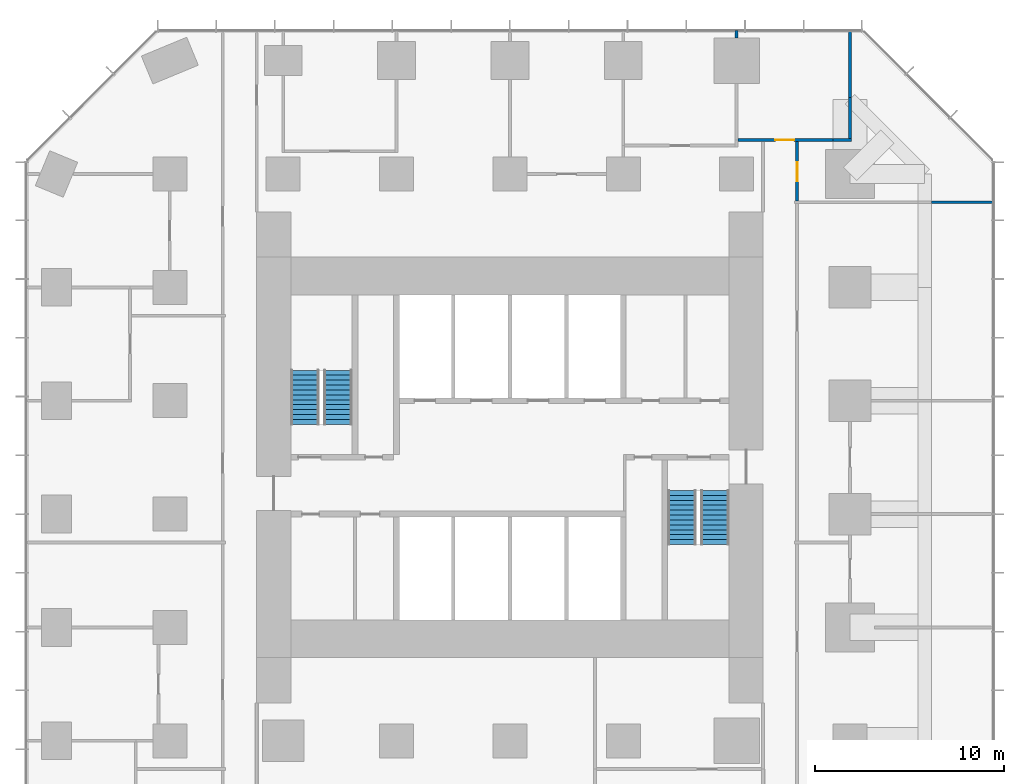
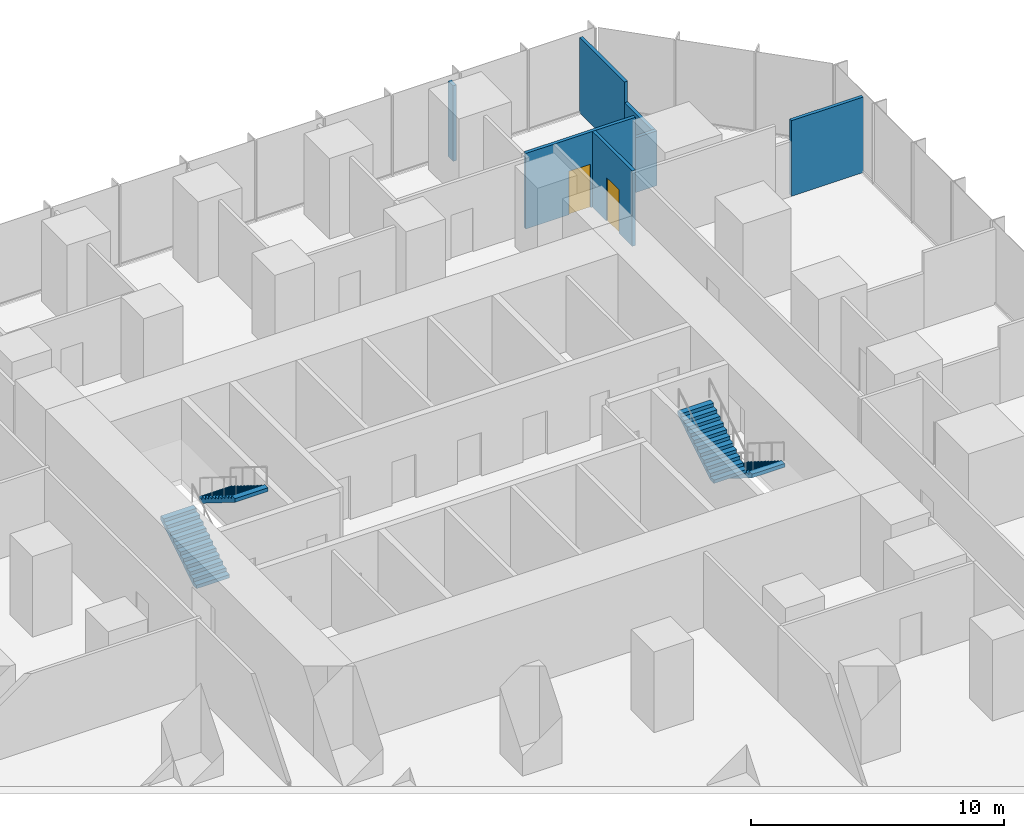
# One storey, part 11 of 12: 7 walls, 4 stair flights, 2 doors, 2 openings, 2 elements without a shape of their own.
"""IFC4 building model written with IfcOpenShell, lengths in metres."""

from ifc_helpers import new_model, si_unit, direction, frame, frame_2d, origin, place, context, subcontext, project, spatial, polyline, rectangle, outline, extrude, material, layer, layer_set, type_object, element, fill, aggregate, save


model = new_model("IFC4")

# Units and contexts
model_context = context("Model", 3, precision=1e-05, world=origin(), true_north=direction((0.0, 1.0)))
body_context = subcontext(model_context, "Body", "Model", "MODEL_VIEW")
ifc_project = project(units=[si_unit("LENGTHUNIT", "METRE"), si_unit("AREAUNIT", "SQUARE_METRE"), si_unit("VOLUMEUNIT", "CUBIC_METRE"), si_unit("PLANEANGLEUNIT", "RADIAN"), si_unit("MASSUNIT", "GRAM", prefix="KILO")], contexts=[model_context])

# Site, building, storey
site_placement = place(None, origin())
site = spatial("IfcSite", under=ifc_project, at=site_placement, CompositionType="ELEMENT")
building_placement = place(site_placement, origin())
building = spatial("IfcBuilding", under=site, at=building_placement, Name="Highveld Stack Headquarters", CompositionType="ELEMENT")
storey_placement = place(building_placement, frame((0.0, 0.0, 53.300048828125)))
storey = spatial("IfcBuildingStorey", under=building, at=storey_placement, Name="L12", CompositionType="ELEMENT", Elevation=53.300048828125)

# Wall, opening, door
ifc_material_1 = material(Name="Gypsum plasterboard on steel studs", Category="steel")
ifc_layer = layer(ifc_material_1, 0.14990234375)
ifc_layer_set = layer_set([ifc_layer], Name="Gypsum plasterboard on steel studs")
wall_type = type_object("IfcWallType", Name="PARTITION 150 PLASTERBOARD", PredefinedType="PARTITIONING", material=ifc_layer_set)
wall_1_placement = place(storey_placement, frame((18.074951171875, 19.800048828125, 0.0), z_axis=(0.0, 0.0, 1.0), x_axis=(1.0, 0.0, 0.0)))
wall_1 = element("IfcWall", 1, at=wall_1_placement, inside=storey, type_object=wall_type, Name="Partition Print room L12", PredefinedType="PARTITIONING", context=body_context, shape_type="SweptSolid", body=[
    extrude(rectangle(XDim=5.01513671875, YDim=0.14990234375, at=frame_2d((2.507568359375, 0.0))), origin(), (0.0, 0.0, 1.0), 3.64990234375),
])
opening_1_placement = place(wall_1_placement, frame((1.969970703125, 0.0, 0.0)))
opening_1 = element("IfcOpeningElement", 2, at=opening_1_placement, cuts=wall_1, Name="Opening L12-23", PredefinedType="OPENING", context=body_context, shape_type="SweptSolid", body=[
    extrude(rectangle(XDim=1.0, YDim=2.10009765625, at=frame_2d((0.5, 1.050048828125))), frame((0.0, 0.0849609375, 0.0), z_axis=(0.0, -1.0, 0.0), x_axis=(1.0, 0.0, 0.0)), (0.0, 0.0, 1.0), 0.169921875),
])
ifc_material_2 = material(Name="Timber door, oiled ash", Category="wood")
door_type = type_object("IfcDoorType", Name="ROOM DOOR D6 1000x2100", OperationType="SINGLE_SWING_LEFT", PredefinedType="DOOR", material=ifc_material_2)
door_1_placement = place(opening_1_placement, origin())
door_1 = element("IfcDoor", 3, at=door_1_placement, inside=storey, type_object=door_type, Name="Print room door 1 L12", OperationType="SINGLE_SWING_LEFT", OverallHeight=2.10009765625, OverallWidth=1.0, PredefinedType="DOOR", context=body_context, shape_type="SweptSolid", body=[
    extrude(rectangle(XDim=1.0, YDim=2.10009765625, at=frame_2d((0.5, 1.050048828125))), frame((0.0, 0.02490234375, 0.0), z_axis=(0.0, -1.0, 0.0), x_axis=(1.0, 0.0, 0.0)), (0.0, 0.0, 1.0), 0.050048828125),
])
fill(opening_1, door_1)

# Walls
wall_2_placement = place(storey_placement, frame((23.090087890625, 19.800048828125, 0.0), z_axis=(0.0, 0.0, 1.0), x_axis=(1.0, 0.0, 0.0)))
element("IfcWall", 4, at=wall_2_placement, inside=storey, type_object=wall_type, Name="Partition Print room L12", PredefinedType="PARTITIONING", context=body_context, shape_type="SweptSolid", body=[
    extrude(rectangle(XDim=0.98486328125, YDim=0.14990234375, at=frame_2d((0.492431640625, 0.0))), origin(), (0.0, 0.0, 1.0), 2.64990234375),
])
wall_3_placement = place(storey_placement, frame((18.0, 25.199951171875, 0.0), z_axis=(0.0, 0.0, 1.0), x_axis=(0.0, 1.0, 0.0)))
element("IfcWall", 5, at=wall_3_placement, inside=storey, type_object=wall_type, Name="Partition Print room / Quiet room L12", PredefinedType="PARTITIONING", context=body_context, shape_type="SweptSolid", body=[
    extrude(rectangle(XDim=0.400146484375, YDim=0.14990234375, at=frame_2d((0.2001953125, 0.0))), origin(), (0.0, 0.0, 1.0), 3.64990234375),
])
wall_4_placement = place(storey_placement, frame((24.0, 19.875, 0.0), z_axis=(0.0, 0.0, 1.0), x_axis=(0.0, 1.0, 0.0)))
element("IfcWall", 6, at=wall_4_placement, inside=storey, type_object=wall_type, Name="Partition Print room L12", PredefinedType="PARTITIONING", context=body_context, shape_type="SweptSolid", body=[
    extrude(rectangle(XDim=2.169921875, YDim=0.14990234375, at=frame_2d((1.0849609375, 0.0))), origin(), (0.0, 0.0, 1.0), 2.64990234375),
])
wall_5_placement = place(storey_placement, frame((24.0, 22.044921875, 0.0), z_axis=(0.0, 0.0, 1.0), x_axis=(0.0, 1.0, 0.0)))
element("IfcWall", 7, at=wall_5_placement, inside=storey, type_object=wall_type, Name="Partition Print room L12", PredefinedType="PARTITIONING", context=body_context, shape_type="SweptSolid", body=[
    extrude(rectangle(XDim=3.55517578125, YDim=0.14990234375, at=frame_2d((1.777587890625, 0.0))), origin(), (0.0, 0.0, 1.0), 3.64990234375),
])

# Wall, opening, door
wall_6_placement = place(storey_placement, frame((21.199951171875, 16.574951171875, 0.0), z_axis=(0.0, 0.0, 1.0), x_axis=(0.0, 1.0, 0.0)))
wall_6 = element("IfcWall", 8, at=wall_6_placement, inside=storey, type_object=wall_type, Name="Partition office neighbourhood L12", PredefinedType="PARTITIONING", context=body_context, shape_type="SweptSolid", body=[
    extrude(rectangle(XDim=3.150146484375, YDim=0.14990234375, at=frame_2d((1.5751953125, 0.0))), origin(), (0.0, 0.0, 1.0), 3.64990234375),
])
opening_2_placement = place(wall_6_placement, frame((1.0380859375, 0.0, 0.0)))
opening_2 = element("IfcOpeningElement", 9, at=opening_2_placement, cuts=wall_6, Name="Opening L12-33", PredefinedType="OPENING", context=body_context, shape_type="SweptSolid", body=[
    extrude(rectangle(XDim=1.0, YDim=2.10009765625, at=frame_2d((0.5, 1.050048828125))), frame((0.0, 0.0849609375, 0.0), z_axis=(0.0, -1.0, 0.0), x_axis=(1.0, 0.0, 0.0)), (0.0, 0.0, 1.0), 0.169921875),
])
door_2_placement = place(opening_2_placement, origin())
door_2 = element("IfcDoor", 10, at=door_2_placement, inside=storey, type_object=door_type, Name="Office neighbourhood door L12", OperationType="SINGLE_SWING_LEFT", OverallHeight=2.10009765625, OverallWidth=1.0, PredefinedType="DOOR", context=body_context, shape_type="SweptSolid", body=[
    extrude(rectangle(XDim=1.0, YDim=2.10009765625, at=frame_2d((0.5, 1.050048828125))), frame((0.0, 0.02490234375, 0.0), z_axis=(0.0, -1.0, 0.0), x_axis=(1.0, 0.0, 0.0)), (0.0, 0.0, 1.0), 0.050048828125),
])
fill(opening_2, door_2)

# Wall
wall_7_placement = place(storey_placement, frame((28.31005859375, 16.5, 0.0), z_axis=(0.0, 0.0, 1.0), x_axis=(1.0, 0.0, 0.0)))
element("IfcWall", 11, at=wall_7_placement, inside=storey, type_object=wall_type, Name="Partition office neighbourhood L12", PredefinedType="PARTITIONING", context=body_context, shape_type="SweptSolid", body=[
    extrude(rectangle(XDim=3.2900390625, YDim=0.14990234375, at=frame_2d((1.64501953125, 0.0))), origin(), (0.0, 0.0, 1.0), 3.64990234375),
])

# Stair, stair flights
ifc_material_3 = material(Name="Concrete C40/50, precast", Category="concrete")
stair_type_1 = type_object("IfcStairType", Name="STAIR S1 HALF TURN 1500", PredefinedType="HALF_TURN_STAIR", material=ifc_material_3)
stair_1_placement = place(storey_placement, origin())
stair_1 = element("IfcStair", 12, at=stair_1_placement, inside=storey, type_object=stair_type_1, Name="Stair S1 L12", PredefinedType="HALF_TURN_STAIR")
ifc_material_4 = material(Name="Concrete C40/50, precast", Category="concrete")
stair_flight_type = type_object("IfcStairFlightType", Name="STAIR FLIGHT 1500 PRECAST", PredefinedType="STRAIGHT", material=ifc_material_4)
stair_flight_1_placement = place(storey_placement, frame((-4.85009765625, 4.75, 0.0), z_axis=(0.0, 0.0, 1.0), x_axis=(0.0, 1.0, 0.0)))
stair_flight_1 = element("IfcStairFlight", 13, at=stair_flight_1_placement, type_object=stair_flight_type, Name="S1 flight 1", NumberOfRisers=12, NumberOfTreads=11, PredefinedType="STRAIGHT", RiserHeight=0.1625, TreadLength=0.26, context=body_context, shape_type="SweptSolid", body=[
    extrude(outline(polyline([(0.0, 0.0), (0.0, 0.16259765625), (0.260009765625, 0.16259765625), (0.260009765625, 0.324951171875), (0.52001953125, 0.324951171875), (0.52001953125, 0.487548828125), (0.780029296875, 0.487548828125), (0.780029296875, 0.64990234375), (1.0400390625, 0.64990234375), (1.0400390625, 0.8125), (1.300048828125, 0.8125), (1.300048828125, 0.97509765625), (1.56005859375, 0.97509765625), (1.56005859375, 1.137451171875), (1.820068359375, 1.137451171875), (1.820068359375, 1.300048828125), (2.080078125, 1.300048828125), (2.080078125, 1.46240234375), (2.340087890625, 1.46240234375), (2.340087890625, 1.625), (2.60009765625, 1.625), (2.60009765625, 1.78759765625), (2.860107421875, 1.78759765625), (2.860107421875, 1.949951171875), (2.860107421875, 1.61083984375), (0.28271484375, 0.0), (0.0, 0.0)])), frame((0.0, 0.75, 0.0), z_axis=(0.0, -1.0, 0.0), x_axis=(1.0, 0.0, 0.0)), (0.0, 0.0, 1.0), 1.5),
])
stair_flight_2_placement = place(storey_placement, frame((-3.10009765625, 7.610107421875, 1.949951171875), z_axis=(0.0, 0.0, 1.0), x_axis=(0.0, -1.0, 0.0)))
stair_flight_2 = element("IfcStairFlight", 14, at=stair_flight_2_placement, type_object=stair_flight_type, Name="S1 flight 2", NumberOfRisers=12, NumberOfTreads=11, PredefinedType="STRAIGHT", RiserHeight=0.1625, TreadLength=0.26, context=body_context, shape_type="SweptSolid", body=[
    extrude(outline(polyline([(0.0, 0.0), (0.0, 0.16259765625), (0.260009765625, 0.16259765625), (0.260009765625, 0.324951171875), (0.52001953125, 0.324951171875), (0.52001953125, 0.487548828125), (0.780029296875, 0.487548828125), (0.780029296875, 0.64990234375), (1.0400390625, 0.64990234375), (1.0400390625, 0.8125), (1.300048828125, 0.8125), (1.300048828125, 0.97509765625), (1.56005859375, 0.97509765625), (1.56005859375, 1.137451171875), (1.820068359375, 1.137451171875), (1.820068359375, 1.300048828125), (2.080078125, 1.300048828125), (2.080078125, 1.46240234375), (2.340087890625, 1.46240234375), (2.340087890625, 1.625), (2.60009765625, 1.625), (2.60009765625, 1.78759765625), (2.860107421875, 1.78759765625), (2.860107421875, 1.949951171875), (2.860107421875, 1.61083984375), (0.28271484375, 0.0), (0.0, 0.0)])), frame((0.0, 0.75, 0.0), z_axis=(0.0, -1.0, 0.0), x_axis=(1.0, 0.0, 0.0)), (0.0, 0.0, 1.0), 1.5),
])
aggregate(stair_1, [stair_flight_1, stair_flight_2])

ifc_material_5 = material(Name="Concrete C40/50, precast", Category="concrete")
stair_type_2 = type_object("IfcStairType", Name="STAIR S2 HALF TURN 1500", PredefinedType="HALF_TURN_STAIR", material=ifc_material_5)
stair_2_placement = place(storey_placement, origin())
stair_2 = element("IfcStair", 15, at=stair_2_placement, inside=storey, type_object=stair_type_2, Name="Stair S2 L12", PredefinedType="HALF_TURN_STAIR")
stair_flight_3_placement = place(storey_placement, frame((16.85009765625, 1.25, 0.0), z_axis=(0.0, 0.0, 1.0), x_axis=(0.0, -1.0, 0.0)))
stair_flight_3 = element("IfcStairFlight", 16, at=stair_flight_3_placement, type_object=stair_flight_type, Name="S2 flight 1", NumberOfRisers=12, NumberOfTreads=11, PredefinedType="STRAIGHT", RiserHeight=0.1625, TreadLength=0.26, context=body_context, shape_type="SweptSolid", body=[
    extrude(outline(polyline([(0.0, 0.0), (0.0, 0.16259765625), (0.260009765625, 0.16259765625), (0.260009765625, 0.324951171875), (0.52001953125, 0.324951171875), (0.52001953125, 0.487548828125), (0.780029296875, 0.487548828125), (0.780029296875, 0.64990234375), (1.0400390625, 0.64990234375), (1.0400390625, 0.8125), (1.300048828125, 0.8125), (1.300048828125, 0.97509765625), (1.56005859375, 0.97509765625), (1.56005859375, 1.137451171875), (1.820068359375, 1.137451171875), (1.820068359375, 1.300048828125), (2.080078125, 1.300048828125), (2.080078125, 1.46240234375), (2.340087890625, 1.46240234375), (2.340087890625, 1.625), (2.60009765625, 1.625), (2.60009765625, 1.78759765625), (2.860107421875, 1.78759765625), (2.860107421875, 1.949951171875), (2.860107421875, 1.61083984375), (0.28271484375, 0.0), (0.0, 0.0)])), frame((0.0, 0.75, 0.0), z_axis=(0.0, -1.0, 0.0), x_axis=(1.0, 0.0, 0.0)), (0.0, 0.0, 1.0), 1.5),
])
stair_flight_4_placement = place(storey_placement, frame((15.10009765625, -1.610107421875, 1.949951171875), z_axis=(0.0, 0.0, 1.0), x_axis=(0.0, 1.0, 0.0)))
stair_flight_4 = element("IfcStairFlight", 17, at=stair_flight_4_placement, type_object=stair_flight_type, Name="S2 flight 2", NumberOfRisers=12, NumberOfTreads=11, PredefinedType="STRAIGHT", RiserHeight=0.1625, TreadLength=0.26, context=body_context, shape_type="SweptSolid", body=[
    extrude(outline(polyline([(0.0, 0.0), (0.0, 0.16259765625), (0.260009765625, 0.16259765625), (0.260009765625, 0.324951171875), (0.52001953125, 0.324951171875), (0.52001953125, 0.487548828125), (0.780029296875, 0.487548828125), (0.780029296875, 0.64990234375), (1.0400390625, 0.64990234375), (1.0400390625, 0.8125), (1.300048828125, 0.8125), (1.300048828125, 0.97509765625), (1.56005859375, 0.97509765625), (1.56005859375, 1.137451171875), (1.820068359375, 1.137451171875), (1.820068359375, 1.300048828125), (2.080078125, 1.300048828125), (2.080078125, 1.46240234375), (2.340087890625, 1.46240234375), (2.340087890625, 1.625), (2.60009765625, 1.625), (2.60009765625, 1.78759765625), (2.860107421875, 1.78759765625), (2.860107421875, 1.949951171875), (2.860107421875, 1.61083984375), (0.28271484375, 0.0), (0.0, 0.0)])), frame((0.0, 0.75, 0.0), z_axis=(0.0, -1.0, 0.0), x_axis=(1.0, 0.0, 0.0)), (0.0, 0.0, 1.0), 1.5),
])
aggregate(stair_2, [stair_flight_3, stair_flight_4])

save(model, "model.ifc")
